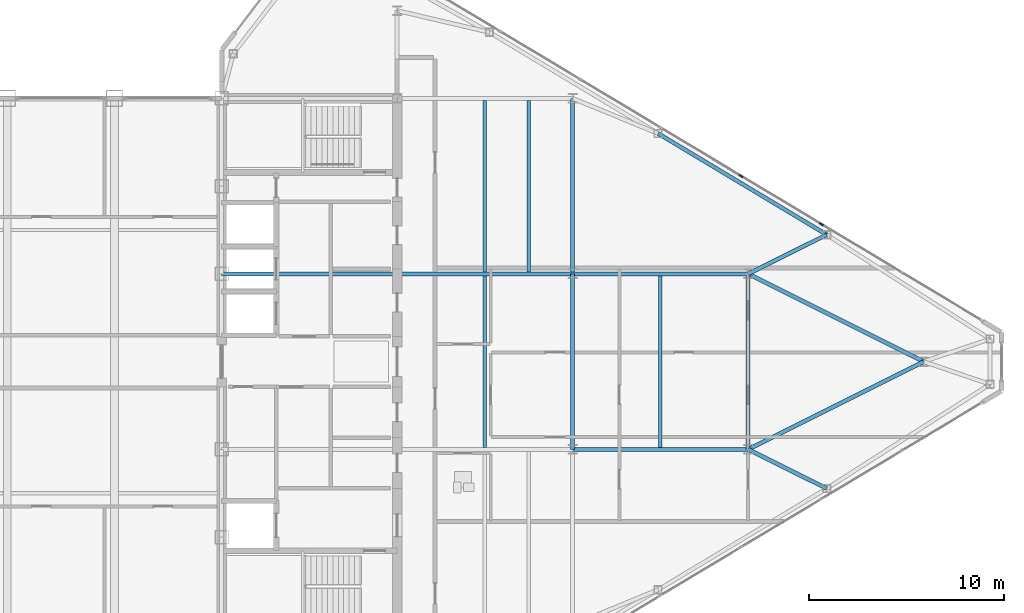
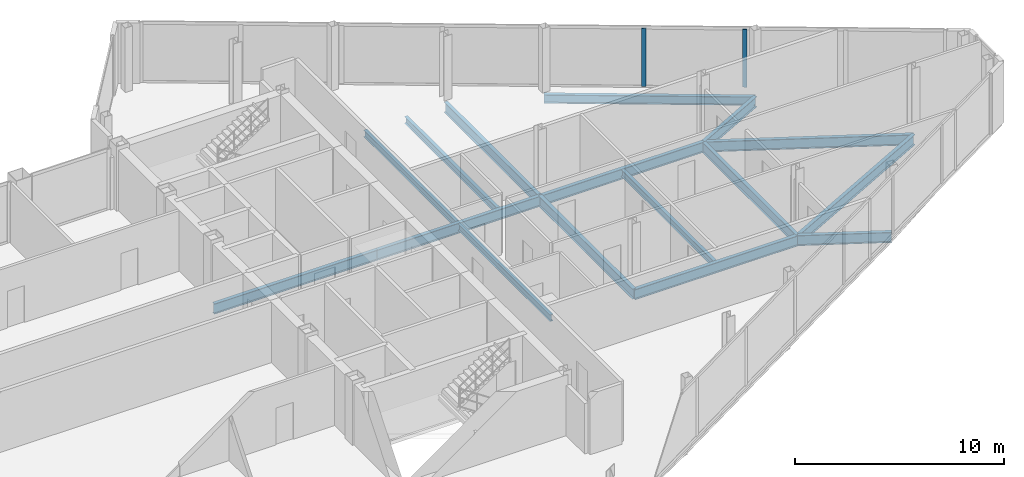
# One storey, part 15 of 29: 16 beams, 2 members, 1 element without a shape of its own.
"""IFC4 building model written with IfcOpenShell, lengths in metres."""

from ifc_helpers import new_model, si_unit, direction, frame, origin, origin_2d, place, context, subcontext, project, spatial, rectangle, i_section, extrude, source, transform, mapped, material, layer, layer_set, material_profile, profile_set, type_object, type_shapes, element, aggregate, save


model = new_model("IFC4")

# Units and contexts
model_context = context("Model", 3, precision=1e-05, world=origin(), true_north=direction((0.0, 1.0)))
body_context = subcontext(model_context, "Body", "Model", "MODEL_VIEW")
ifc_project = project(units=[si_unit("LENGTHUNIT", "METRE"), si_unit("AREAUNIT", "SQUARE_METRE"), si_unit("VOLUMEUNIT", "CUBIC_METRE"), si_unit("PLANEANGLEUNIT", "RADIAN"), si_unit("MASSUNIT", "GRAM", prefix="KILO")], contexts=[model_context])

# Site, building, storey
site_placement = place(None, origin())
site = spatial("IfcSite", under=ifc_project, at=site_placement, CompositionType="ELEMENT")
building_placement = place(site_placement, origin())
building = spatial("IfcBuilding", under=site, at=building_placement, Name="Seokmaru Belvedere", CompositionType="ELEMENT")
storey_placement = place(building_placement, frame((0.0, 0.0, 254.39990234375)))
storey = spatial("IfcBuildingStorey", under=building, at=storey_placement, Name="L67", CompositionType="ELEMENT", Elevation=254.39990234375)

# Beams
ifc_material_1 = material(Name="Steel SM355 (355 MPa)", Category="steel")
ifc_material_profile_1 = material_profile(ifc_material_1, i_section(OverallWidth=0.199951171875, OverallDepth=0.60009765625, WebThickness=0.010986328125, FlangeThickness=0.01708984375, at=origin_2d()), Name="H-600x200x11x17")
ifc_profile_set_1 = profile_set([ifc_material_profile_1], Name="Steel SM355 (355 MPa)")
beam_type_1 = type_object("IfcBeamType", Name="Primary Floor Girder H-600", PredefinedType="BEAM", material=ifc_profile_set_1)
shared_shape_1 = source(origin(), body_context, "Body", "SweptSolid", [
    extrude(i_section(OverallWidth=0.199951171875, OverallDepth=0.60009765625, WebThickness=0.010986328125, FlangeThickness=0.01708984375, at=origin_2d()), origin(), (0.0, 0.0, 1.0), 9.0),
])
for number, where, z_axis, x_axis, name in (
    (1, (45.5, -4.5, -0.52001953125), (0.0, 1.0, 0.0), (-1.0, 0.0, 0.0), "L67 E Interior Grid Girder 2"),
    (2, (45.5, 4.5, -0.52001953125), (0.0, 1.0, 0.0), (-1.0, 0.0, 0.0), "L67 E Interior Grid Girder 3"),
    (3, (27.5, 4.5, -0.52001953125), (1.0, 0.0, 0.0), (0.0, 1.0, 0.0), "L67 E Core Tie Girder 3"),
    (4, (36.5, 4.5, -0.52001953125), (1.0, 0.0, 0.0), (0.0, 1.0, 0.0), "L67 E Wing Primary Girder 3"),
    (5, (45.5, -4.5, -0.52001953125), (1.0, 0.0, 0.0), (0.0, 1.0, 0.0), "L67 E Outer Wing Girder 1"),
    (6, (45.5, 4.5, -0.52001953125), (1.0, 0.0, 0.0), (0.0, 1.0, 0.0), "L67 E Outer Wing Girder 2"),
    (7, (54.5, -4.5, -0.52001953125), (0.0, 1.0, 0.0), (-1.0, 0.0, 0.0), "L67 E Apex Frame Girder"),
):
    element("IfcBeam", number, at=place(storey_placement, frame(where, z_axis=z_axis, x_axis=x_axis)), inside=storey, type_object=beam_type_1, Name=name, PredefinedType="BEAM", context=body_context, shape_type="MappedRepresentation", body=[
        mapped(shared_shape_1, transform((0.0, 0.0, 0.0), scale=1.0)),
    ])
shared_shape_2 = source(origin(), body_context, "Body", "SweptSolid", [
    extrude(i_section(OverallWidth=0.199951171875, OverallDepth=0.60009765625, WebThickness=0.010986328125, FlangeThickness=0.01708984375, at=origin_2d()), origin(), (0.0, 0.0, 1.0), 10.062255859375),
])
for number, where, z_axis, x_axis, name in (
    (8, (54.5, -4.5, -0.52001953125), (0.894427191, 0.4472135955, 0.0), (-0.4472135955, 0.894427191, 0.0), "L67 E Apex Converging Girder 1"),
    (9, (54.5, 4.5, -0.52001953125), (0.894427191, -0.4472135955, 0.0), (0.4472135955, 0.894427191, 0.0), "L67 E Apex Converging Girder 2"),
):
    element("IfcBeam", number, at=place(storey_placement, frame(where, z_axis=z_axis, x_axis=x_axis)), inside=storey, type_object=beam_type_1, Name=name, PredefinedType="BEAM", context=body_context, shape_type="MappedRepresentation", body=[
        mapped(shared_shape_2, transform((0.0, 0.0, 0.0), scale=1.0)),
    ])
ifc_material_profile_2 = material_profile(ifc_material_1, i_section(OverallWidth=0.18505859375, OverallDepth=0.389892578125, WebThickness=0.008056640625, FlangeThickness=0.011962890625, at=origin_2d()), Name="H-390x185x8x12")
ifc_profile_set_2 = profile_set([ifc_material_profile_2], Name="Steel SM355 (355 MPa)")
beam_type_2 = type_object("IfcBeamType", Name="Secondary Floor Joist H-350", PredefinedType="JOIST", material=ifc_profile_set_2)
shared_shape_3 = source(origin(), body_context, "Body", "SweptSolid", [
    extrude(i_section(OverallWidth=0.18505859375, OverallDepth=0.389892578125, WebThickness=0.008056640625, FlangeThickness=0.011962890625, at=origin_2d()), origin(), (0.0, 0.0, 1.0), 8.7900390625),
])
type_shapes(beam_type_2, [shared_shape_3])
for number, where, z_axis, x_axis, name in (
    (10, (43.25, 4.60498046875, -0.414794921875), (0.0, 1.0, 0.0), (-1.0, 0.0, 0.0), "L67 E Wing Inner Secondary Joist 2"),
    (11, (41.0, -4.39501953125, -0.414794921875), (0.0, 1.0, 0.0), (-1.0, 0.0, 0.0), "L67 E Secondary Floor Joist 2"),
    (12, (41.0, 4.60498046875, -0.414794921875), (0.0, 1.0, 0.0), (-1.0, 0.0, 0.0), "L67 E Secondary Floor Joist 3"),
    (13, (50.0, -4.39501953125, -0.414794921875), (0.0, 1.0, 0.0), (-1.0, 0.0, 0.0), "L67 E Outer Bay Secondary Joist"),
):
    element("IfcBeam", number, at=place(storey_placement, frame(where, z_axis=z_axis, x_axis=x_axis)), inside=storey, type_object=beam_type_2, Name=name, PredefinedType="JOIST", context=body_context, shape_type="MappedRepresentation", body=[
        mapped(shared_shape_3, transform((0.0, 0.0, 0.0), scale=1.0)),
    ])
ifc_material_profile_3 = material_profile(ifc_material_1, i_section(OverallWidth=0.199951171875, OverallDepth=0.5, WebThickness=0.010009765625, FlangeThickness=0.01611328125, at=origin_2d()), Name="H-500x200x10x16")
ifc_profile_set_3 = profile_set([ifc_material_profile_3], Name="Steel SM355 (355 MPa)")
beam_type_3 = type_object("IfcBeamType", Name="Perimeter Spandrel Beam H-500", PredefinedType="SPANDREL", material=ifc_profile_set_3)
shared_shape_4 = source(origin(), body_context, "Body", "SweptSolid", [
    extrude(i_section(OverallWidth=0.199951171875, OverallDepth=0.5, WebThickness=0.010009765625, FlangeThickness=0.01611328125, at=origin_2d()), origin(), (0.0, 0.0, 1.0), 10.087646484375),
])
type_shapes(beam_type_3, [shared_shape_4])
beam_placement = place(storey_placement, frame((49.8798828125, 11.698974609375, -0.469970703125), z_axis=(0.857488654804, -0.514502873542, 0.0), x_axis=(0.514502873542, 0.857488654804, 0.0)))
element("IfcBeam", 14, at=beam_placement, inside=storey, type_object=beam_type_3, Name="L67 E Faceted Flank Spandrel N-3", PredefinedType="SPANDREL", context=body_context, shape_type="MappedRepresentation", body=[
    mapped(shared_shape_4, transform((0.0, 0.0, 0.0), scale=1.0)),
])
shared_shape_5 = source(origin(), body_context, "Body", "SweptSolid", [
    extrude(i_section(OverallWidth=0.199951171875, OverallDepth=0.60009765625, WebThickness=0.010986328125, FlangeThickness=0.01708984375, at=origin_2d()), origin(), (0.0, 0.0, 1.0), 4.5029296875),
])
type_shapes(beam_type_1, [shared_shape_1, shared_shape_2, shared_shape_5])
for number, where, z_axis, x_axis, name in (
    (15, (58.530029296875, -6.5087890625, -0.52001953125), (-0.894979532585, 0.446107202648, 0.0), (-0.446107202648, -0.894979532585, 0.0), "L67 E Flank Radial Floor Girder S-3"),
    (16, (58.530029296875, 6.5087890625, -0.52001953125), (-0.894979532585, -0.446107202648, 0.0), (0.446107202648, -0.894979532585, 0.0), "L67 E Flank Radial Floor Girder N-3"),
):
    element("IfcBeam", number, at=place(storey_placement, frame(where, z_axis=z_axis, x_axis=x_axis)), inside=storey, type_object=beam_type_1, Name=name, PredefinedType="BEAM", context=body_context, shape_type="MappedRepresentation", body=[
        mapped(shared_shape_5, transform((0.0, 0.0, 0.0), scale=1.0)),
    ])

# Curtain wall, members
ifc_material_2 = material(Name="Bronze Triple Insulating Glass", Category="glass")
ifc_layer = layer(ifc_material_2, 0.219970703125)
ifc_layer_set = layer_set([ifc_layer], Name="Bronze Triple Insulating Glass")
curtain_wall_type = type_object("IfcCurtainWallType", Name="Sky-Gate Bridge Panorama Curtain Wall System CW-6", PredefinedType="NOTDEFINED", material=ifc_layer_set)
curtain_wall_placement = place(storey_placement, origin())
curtain_wall = element("IfcCurtainWall", 17, at=curtain_wall_placement, inside=storey, type_object=curtain_wall_type, Name="L67 Curtain Wall EF3", PredefinedType="NOTDEFINED")
ifc_material_3 = material(Name="Anodised Bronze Aluminium", Category="aluminium")
ifc_material_profile_4 = material_profile(ifc_material_3, rectangle(XDim=0.080078125, YDim=0.219970703125, at=origin_2d()), Name="CW-M-80x220")
ifc_profile_set_4 = profile_set([ifc_material_profile_4], Name="Anodised Bronze Aluminium")
member_type = type_object("IfcMemberType", Name="Bronze Unitised Mullion 80x220", PredefinedType="MULLION", material=ifc_profile_set_4)
shared_shape_6 = source(origin(), body_context, "Body", "SweptSolid", [
    extrude(rectangle(XDim=0.080078125, YDim=0.219970703125, at=origin_2d()), origin(), (0.0, 0.0, 1.0), 3.3798828125),
])
type_shapes(member_type, [shared_shape_6])
member_1_placement = place(storey_placement, frame((58.257080078125, 7.0458984375, 0.0751953125), z_axis=(0.0, 0.0, 1.0), x_axis=(-0.514494909364, -0.85749343335, 0.0)))
member_1 = element("IfcMember", 18, at=member_1_placement, type_object=member_type, Name="CW:L67:EF3 Mullion 3", PredefinedType="MULLION", context=body_context, shape_type="MappedRepresentation", body=[
    mapped(shared_shape_6, transform((0.0, 0.0, 0.0), scale=1.0)),
])
member_2_placement = place(storey_placement, frame((54.12841796875, 9.52294921875, 0.0751953125), z_axis=(0.0, 0.0, 1.0), x_axis=(-0.514494909364, -0.85749343335, 0.0)))
member_2 = element("IfcMember", 19, at=member_2_placement, type_object=member_type, Name="CW:L67:EF3 Mullion 4", PredefinedType="MULLION", context=body_context, shape_type="MappedRepresentation", body=[
    mapped(shared_shape_6, transform((0.0, 0.0, 0.0), scale=1.0)),
])
aggregate(curtain_wall, [member_1, member_2])

save(model, "model.ifc")
